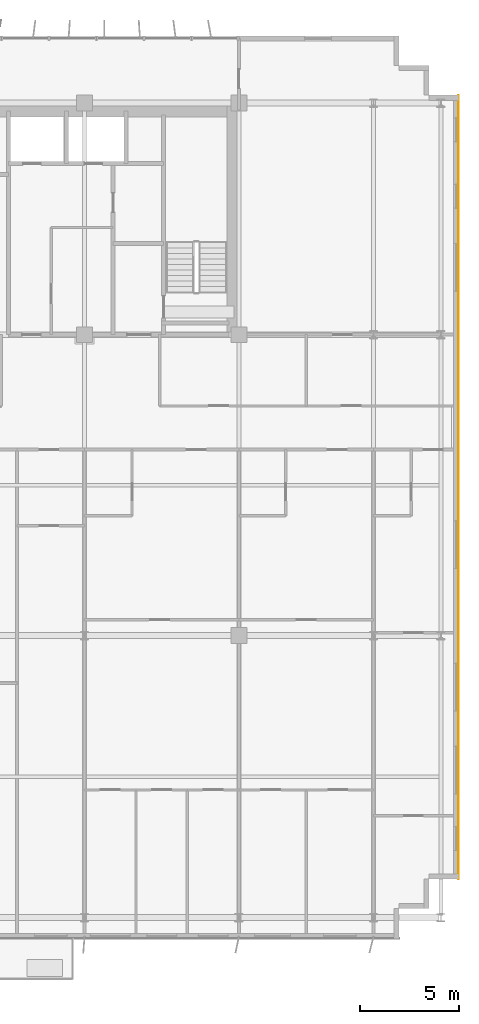
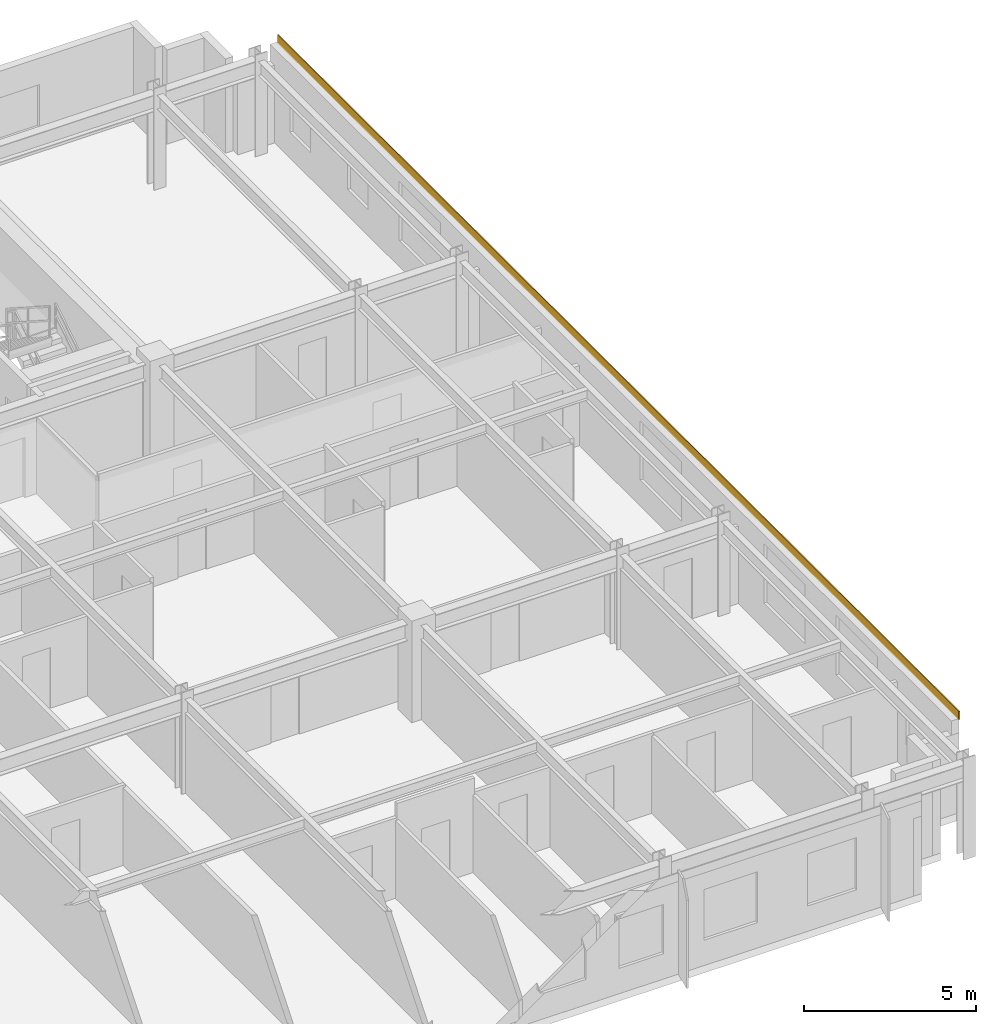
# One storey, part 22 of 22: 1 covering.
"""IFC4 building model written with IfcOpenShell, lengths in metres."""

from ifc_helpers import new_model, si_unit, direction, frame, origin, origin_2d, place, context, subcontext, project, spatial, rectangle, extrude, source, transform, mapped, material, layer, layer_set, type_object, element, save


model = new_model("IFC4")

# Units and contexts
model_context = context("Model", 3, precision=1e-05, world=origin(), true_north=direction((0.0, 1.0)))
body_context = subcontext(model_context, "Body", "Model", "MODEL_VIEW")
ifc_project = project(units=[si_unit("LENGTHUNIT", "METRE"), si_unit("AREAUNIT", "SQUARE_METRE"), si_unit("VOLUMEUNIT", "CUBIC_METRE"), si_unit("PLANEANGLEUNIT", "RADIAN"), si_unit("MASSUNIT", "GRAM", prefix="KILO")], contexts=[model_context])

# Site, building, storey
site_placement = place(None, origin())
site = spatial("IfcSite", under=ifc_project, at=site_placement, CompositionType="ELEMENT")
building_placement = place(site_placement, origin())
building = spatial("IfcBuilding", under=site, at=building_placement, Name="Trelvane Seafront Commons", CompositionType="ELEMENT")
storey_placement = place(building_placement, frame((0.0, 0.0, 92.5)))
storey = spatial("IfcBuildingStorey", under=building, at=storey_placement, Name="L23", CompositionType="ELEMENT", Elevation=92.5)

# Covering
ifc_material = material(Name="Anodised pale-silver aluminium", Category="aluminium")
ifc_layer = layer(ifc_material, 0.034912109375, Name="ARCH-COV-CLAD35")
ifc_layer_set = layer_set([ifc_layer], Name="Anodised pale-silver aluminium")
covering_type = type_object("IfcCoveringType", Name="ARCH-COV-CLAD35", PredefinedType="CLADDING", material=ifc_layer_set)
shared_shape = source(origin(), body_context, "Body", "SweptSolid", [
    extrude(rectangle(XDim=39.60009765625, YDim=0.034912109375, at=origin_2d()), origin(), (0.0, 0.0, 1.0), 0.300048828125),
])
covering_placement = place(storey_placement, frame((69.89990234375, 25.699951171875, 3.2998046875), z_axis=(0.0, 0.0, 1.0), x_axis=(0.0, -1.0, 0.0)))
element("IfcCovering", 1, at=covering_placement, inside=storey, type_object=covering_type, Name="CLD-L23-00101", PredefinedType="CLADDING", context=body_context, shape_type="MappedRepresentation", body=[
    mapped(shared_shape, transform((0.0, 0.0, 0.0), x_axis=(1.0, 0.0, 0.0), y_axis=(0.0, 1.0, 0.0), z_axis=(0.0, 0.0, 1.0), scale=1.0)),
])

save(model, "model.ifc")
